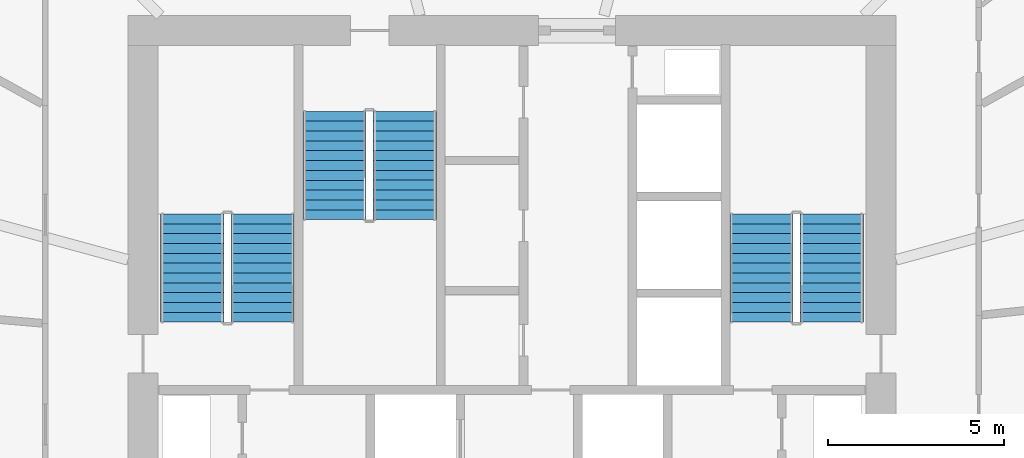
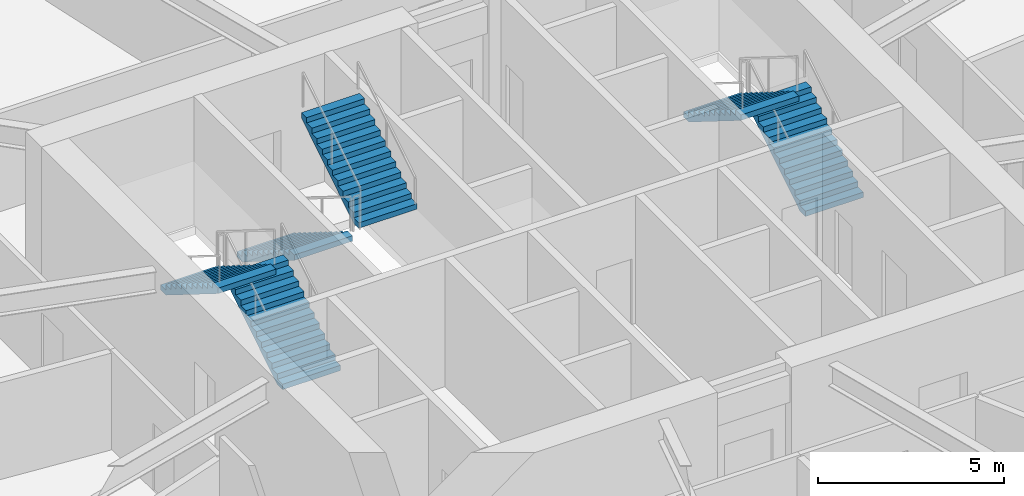
# One storey, part 24 of 25: 6 stair flights, 3 elements without a shape of their own.
"""IFC4 building model written with IfcOpenShell, lengths in metres."""

from ifc_helpers import new_model, si_unit, direction, frame, origin, place, context, subcontext, project, spatial, polyline, outline, extrude, material, type_object, element, aggregate, save


model = new_model("IFC4")

# Units and contexts
model_context = context("Model", 3, precision=1e-05, world=origin(), true_north=direction((0.0, 1.0)))
body_context = subcontext(model_context, "Body", "Model", "MODEL_VIEW")
ifc_project = project(units=[si_unit("LENGTHUNIT", "METRE"), si_unit("AREAUNIT", "SQUARE_METRE"), si_unit("VOLUMEUNIT", "CUBIC_METRE"), si_unit("PLANEANGLEUNIT", "RADIAN"), si_unit("MASSUNIT", "GRAM", prefix="KILO")], contexts=[model_context])

# Site, building, storey
site_placement = place(None, origin())
site = spatial("IfcSite", under=ifc_project, at=site_placement, CompositionType="ELEMENT")
building_placement = place(site_placement, origin())
building = spatial("IfcBuilding", under=site, at=building_placement, Name="Zuhravey Tower", CompositionType="ELEMENT")
storey_placement = place(building_placement, frame((0.0, 0.0, 54.0)))
storey = spatial("IfcBuildingStorey", under=building, at=storey_placement, Name="L13", CompositionType="ELEMENT", Elevation=54.0)

# Stair, stair flights
ifc_material = material(Name="Concrete C40/50", Category="concrete")
stair_type = type_object("IfcStairType", Name="School Storey Stair Assembly 4200", PredefinedType="HALF_TURN_STAIR", material=ifc_material)
stair_1_placement = place(storey_placement, origin())
stair_1 = element("IfcStair", 1, at=stair_1_placement, inside=storey, type_object=stair_type, Name="L13 Core Exit Stair ST1", PredefinedType="HALF_TURN_STAIR")
stair_flight_type = type_object("IfcStairFlightType", Name="School Storey Stair Flight 4200", PredefinedType="STRAIGHT", material=ifc_material)
stair_flight_1_placement = place(storey_placement, frame((28.89990234375, 33.199951171875, 0.0), z_axis=(0.0, 0.0, 1.0), x_axis=(0.0, 1.0, 0.0)))
stair_flight_1 = element("IfcStairFlight", 2, at=stair_flight_1_placement, type_object=stair_flight_type, Name="ST1 flight 1", NumberOfRisers=12, NumberOfTreads=11, PredefinedType="STRAIGHT", RiserHeight=0.175, TreadLength=0.28, context=body_context, shape_type="SweptSolid", body=[
    extrude(outline(polyline([(0.0, 0.0), (0.0, 0.175048828125), (0.280029296875, 0.175048828125), (0.280029296875, 0.35009765625), (0.56005859375, 0.35009765625), (0.56005859375, 0.52490234375), (0.840087890625, 0.52490234375), (0.840087890625, 0.699951171875), (1.1201171875, 0.699951171875), (1.1201171875, 0.875), (1.39990234375, 0.875), (1.39990234375, 1.050048828125), (1.679931640625, 1.050048828125), (1.679931640625, 1.22509765625), (1.9599609375, 1.22509765625), (1.9599609375, 1.39990234375), (2.239990234375, 1.39990234375), (2.239990234375, 1.574951171875), (2.52001953125, 1.574951171875), (2.52001953125, 1.75), (2.800048828125, 1.75), (2.800048828125, 1.925048828125), (3.080078125, 1.925048828125), (3.080078125, 2.10009765625), (3.080078125, 1.748291015625), (0.28271484375, 0.0), (0.0, 0.0)])), frame((0.0, 0.89990234375, 0.0), z_axis=(0.0, -1.0, 0.0), x_axis=(1.0, 0.0, 0.0)), (0.0, 0.0, 1.0), 1.800048828125),
])
stair_flight_2_placement = place(storey_placement, frame((26.89990234375, 36.280029296875, 2.10009765625), z_axis=(0.0, 0.0, 1.0), x_axis=(0.0, -1.0, 0.0)))
stair_flight_2 = element("IfcStairFlight", 3, at=stair_flight_2_placement, type_object=stair_flight_type, Name="ST1 flight 2", NumberOfRisers=12, NumberOfTreads=11, PredefinedType="STRAIGHT", RiserHeight=0.175, TreadLength=0.28, context=body_context, shape_type="SweptSolid", body=[
    extrude(outline(polyline([(0.0, 0.0), (0.0, 0.175048828125), (0.280029296875, 0.175048828125), (0.280029296875, 0.35009765625), (0.56005859375, 0.35009765625), (0.56005859375, 0.52490234375), (0.840087890625, 0.52490234375), (0.840087890625, 0.699951171875), (1.1201171875, 0.699951171875), (1.1201171875, 0.875), (1.39990234375, 0.875), (1.39990234375, 1.050048828125), (1.679931640625, 1.050048828125), (1.679931640625, 1.22509765625), (1.9599609375, 1.22509765625), (1.9599609375, 1.39990234375), (2.239990234375, 1.39990234375), (2.239990234375, 1.574951171875), (2.52001953125, 1.574951171875), (2.52001953125, 1.75), (2.800048828125, 1.75), (2.800048828125, 1.925048828125), (3.080078125, 1.925048828125), (3.080078125, 2.10009765625), (3.080078125, 1.748291015625), (0.28271484375, 0.0), (0.0, 0.0)])), frame((0.0, 0.89990234375, 0.0), z_axis=(0.0, -1.0, 0.0), x_axis=(1.0, 0.0, 0.0)), (0.0, 0.0, 1.0), 1.800048828125),
])
aggregate(stair_1, [stair_flight_1, stair_flight_2])

stair_2_placement = place(storey_placement, origin())
stair_2 = element("IfcStair", 4, at=stair_2_placement, inside=storey, type_object=stair_type, Name="L13 Core Exit Stair ST2", PredefinedType="HALF_TURN_STAIR")
stair_flight_3_placement = place(storey_placement, frame((45.10009765625, 33.199951171875, 0.0), z_axis=(0.0, 0.0, 1.0), x_axis=(0.0, 1.0, 0.0)))
stair_flight_3 = element("IfcStairFlight", 5, at=stair_flight_3_placement, type_object=stair_flight_type, Name="ST2 flight 1", NumberOfRisers=12, NumberOfTreads=11, PredefinedType="STRAIGHT", RiserHeight=0.175, TreadLength=0.28, context=body_context, shape_type="SweptSolid", body=[
    extrude(outline(polyline([(0.0, 0.0), (0.0, 0.175048828125), (0.280029296875, 0.175048828125), (0.280029296875, 0.35009765625), (0.56005859375, 0.35009765625), (0.56005859375, 0.52490234375), (0.840087890625, 0.52490234375), (0.840087890625, 0.699951171875), (1.1201171875, 0.699951171875), (1.1201171875, 0.875), (1.39990234375, 0.875), (1.39990234375, 1.050048828125), (1.679931640625, 1.050048828125), (1.679931640625, 1.22509765625), (1.9599609375, 1.22509765625), (1.9599609375, 1.39990234375), (2.239990234375, 1.39990234375), (2.239990234375, 1.574951171875), (2.52001953125, 1.574951171875), (2.52001953125, 1.75), (2.800048828125, 1.75), (2.800048828125, 1.925048828125), (3.080078125, 1.925048828125), (3.080078125, 2.10009765625), (3.080078125, 1.748291015625), (0.28271484375, 0.0), (0.0, 0.0)])), frame((0.0, 0.89990234375, 0.0), z_axis=(0.0, -1.0, 0.0), x_axis=(1.0, 0.0, 0.0)), (0.0, 0.0, 1.0), 1.800048828125),
])
stair_flight_4_placement = place(storey_placement, frame((43.10009765625, 36.280029296875, 2.10009765625), z_axis=(0.0, 0.0, 1.0), x_axis=(0.0, -1.0, 0.0)))
stair_flight_4 = element("IfcStairFlight", 6, at=stair_flight_4_placement, type_object=stair_flight_type, Name="ST2 flight 2", NumberOfRisers=12, NumberOfTreads=11, PredefinedType="STRAIGHT", RiserHeight=0.175, TreadLength=0.28, context=body_context, shape_type="SweptSolid", body=[
    extrude(outline(polyline([(0.0, 0.0), (0.0, 0.175048828125), (0.280029296875, 0.175048828125), (0.280029296875, 0.35009765625), (0.56005859375, 0.35009765625), (0.56005859375, 0.52490234375), (0.840087890625, 0.52490234375), (0.840087890625, 0.699951171875), (1.1201171875, 0.699951171875), (1.1201171875, 0.875), (1.39990234375, 0.875), (1.39990234375, 1.050048828125), (1.679931640625, 1.050048828125), (1.679931640625, 1.22509765625), (1.9599609375, 1.22509765625), (1.9599609375, 1.39990234375), (2.239990234375, 1.39990234375), (2.239990234375, 1.574951171875), (2.52001953125, 1.574951171875), (2.52001953125, 1.75), (2.800048828125, 1.75), (2.800048828125, 1.925048828125), (3.080078125, 1.925048828125), (3.080078125, 2.10009765625), (3.080078125, 1.748291015625), (0.28271484375, 0.0), (0.0, 0.0)])), frame((0.0, 0.89990234375, 0.0), z_axis=(0.0, -1.0, 0.0), x_axis=(1.0, 0.0, 0.0)), (0.0, 0.0, 1.0), 1.800048828125),
])
aggregate(stair_2, [stair_flight_3, stair_flight_4])

stair_3_placement = place(storey_placement, origin())
stair_3 = element("IfcStair", 7, at=stair_3_placement, inside=storey, type_object=stair_type, Name="L13 Core Exit Stair ST3", PredefinedType="HALF_TURN_STAIR")
stair_flight_5_placement = place(storey_placement, frame((30.949951171875, 39.199951171875, 0.0), z_axis=(0.0, 0.0, 1.0), x_axis=(0.0, -1.0, 0.0)))
stair_flight_5 = element("IfcStairFlight", 8, at=stair_flight_5_placement, type_object=stair_flight_type, Name="ST3 flight 1", NumberOfRisers=12, NumberOfTreads=11, PredefinedType="STRAIGHT", RiserHeight=0.175, TreadLength=0.28, context=body_context, shape_type="SweptSolid", body=[
    extrude(outline(polyline([(0.0, 0.0), (0.0, 0.175048828125), (0.280029296875, 0.175048828125), (0.280029296875, 0.35009765625), (0.56005859375, 0.35009765625), (0.56005859375, 0.52490234375), (0.840087890625, 0.52490234375), (0.840087890625, 0.699951171875), (1.1201171875, 0.699951171875), (1.1201171875, 0.875), (1.39990234375, 0.875), (1.39990234375, 1.050048828125), (1.679931640625, 1.050048828125), (1.679931640625, 1.22509765625), (1.9599609375, 1.22509765625), (1.9599609375, 1.39990234375), (2.239990234375, 1.39990234375), (2.239990234375, 1.574951171875), (2.52001953125, 1.574951171875), (2.52001953125, 1.75), (2.800048828125, 1.75), (2.800048828125, 1.925048828125), (3.080078125, 1.925048828125), (3.080078125, 2.10009765625), (3.080078125, 1.748291015625), (0.28271484375, 0.0), (0.0, 0.0)])), frame((0.0, 0.89990234375, 0.0), z_axis=(0.0, -1.0, 0.0), x_axis=(1.0, 0.0, 0.0)), (0.0, 0.0, 1.0), 1.800048828125),
])
stair_flight_6_placement = place(storey_placement, frame((32.949951171875, 36.1201171875, 2.10009765625), z_axis=(0.0, 0.0, 1.0), x_axis=(0.0, 1.0, 0.0)))
stair_flight_6 = element("IfcStairFlight", 9, at=stair_flight_6_placement, type_object=stair_flight_type, Name="ST3 flight 2", NumberOfRisers=12, NumberOfTreads=11, PredefinedType="STRAIGHT", RiserHeight=0.175, TreadLength=0.28, context=body_context, shape_type="SweptSolid", body=[
    extrude(outline(polyline([(0.0, 0.0), (0.0, 0.175048828125), (0.280029296875, 0.175048828125), (0.280029296875, 0.35009765625), (0.56005859375, 0.35009765625), (0.56005859375, 0.52490234375), (0.840087890625, 0.52490234375), (0.840087890625, 0.699951171875), (1.1201171875, 0.699951171875), (1.1201171875, 0.875), (1.39990234375, 0.875), (1.39990234375, 1.050048828125), (1.679931640625, 1.050048828125), (1.679931640625, 1.22509765625), (1.9599609375, 1.22509765625), (1.9599609375, 1.39990234375), (2.239990234375, 1.39990234375), (2.239990234375, 1.574951171875), (2.52001953125, 1.574951171875), (2.52001953125, 1.75), (2.800048828125, 1.75), (2.800048828125, 1.925048828125), (3.080078125, 1.925048828125), (3.080078125, 2.10009765625), (3.080078125, 1.748291015625), (0.28271484375, 0.0), (0.0, 0.0)])), frame((0.0, 0.89990234375, 0.0), z_axis=(0.0, -1.0, 0.0), x_axis=(1.0, 0.0, 0.0)), (0.0, 0.0, 1.0), 1.800048828125),
])
aggregate(stair_3, [stair_flight_5, stair_flight_6])

save(model, "model.ifc")
